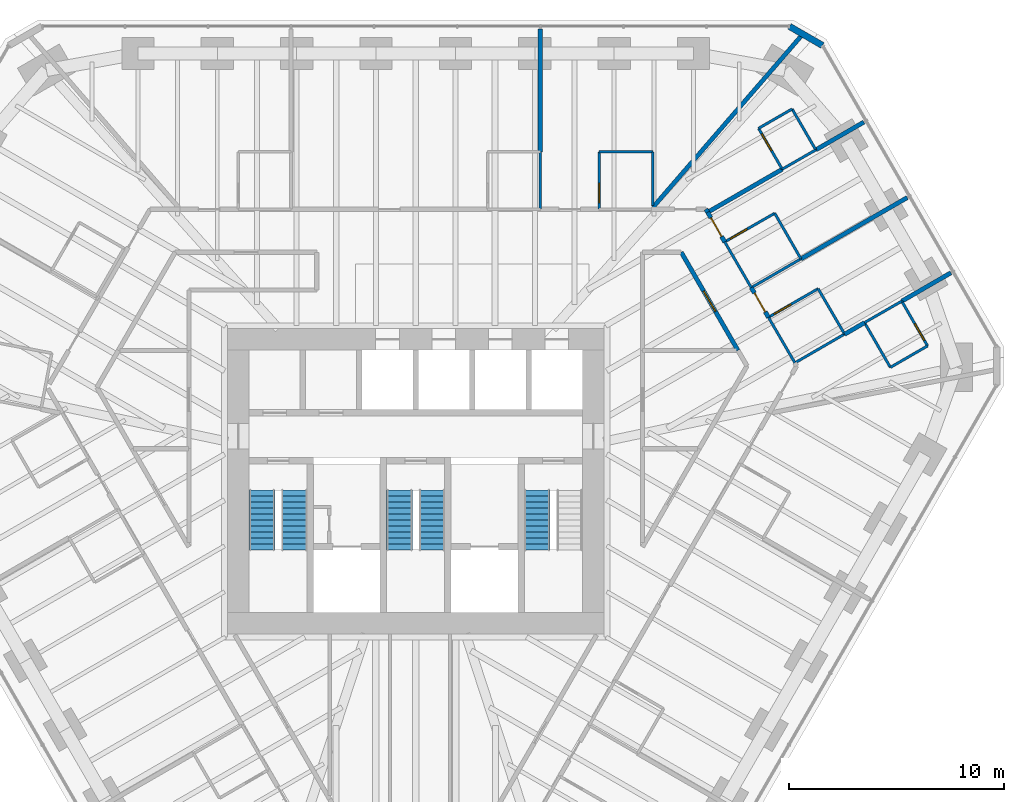
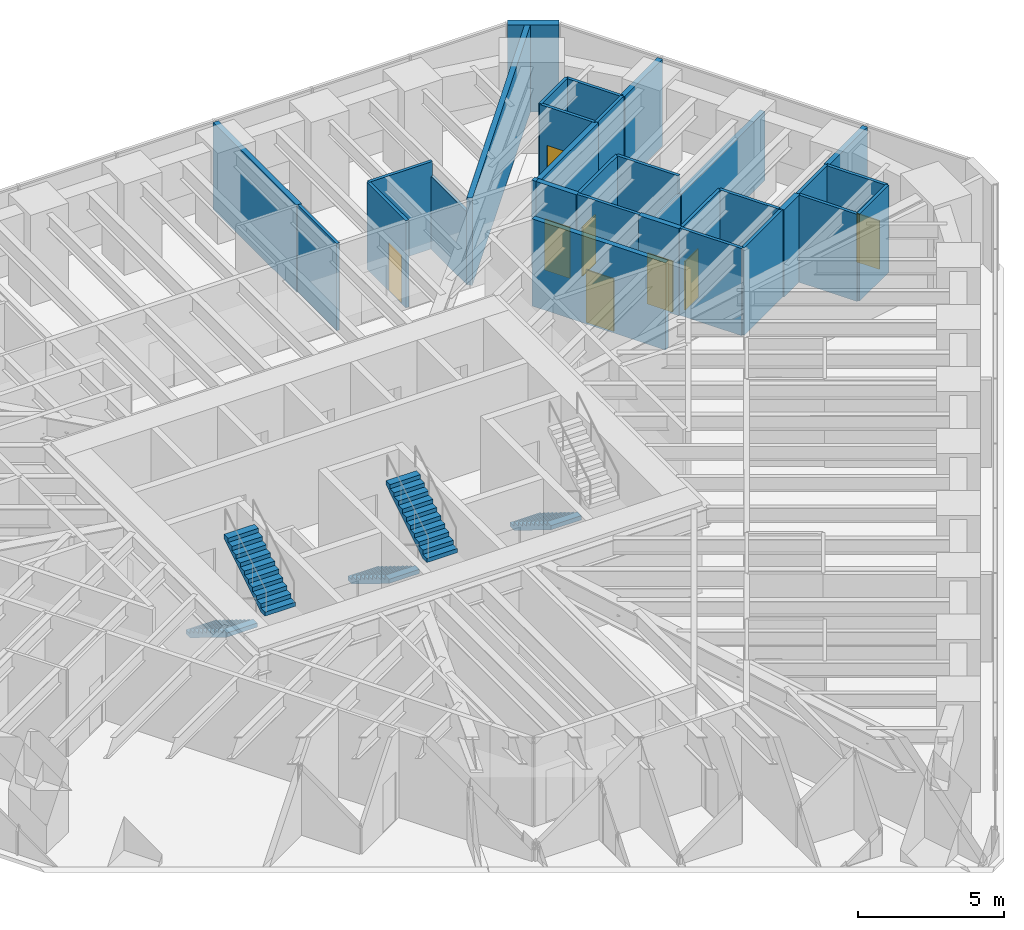
# One storey, part 15 of 17: 32 walls, 8 doors, 5 stair flights, 8 openings, 3 elements without a shape of their own.
"""IFC4 building model written with IfcOpenShell, lengths in metres."""

from ifc_helpers import new_model, si_unit, direction, frame, frame_2d, origin, place, context, subcontext, project, spatial, polyline, rectangle, outline, extrude, material, layer, layer_set, type_object, element, fill, aggregate, save


model = new_model("IFC4")

# Units and contexts
model_context = context("Model", 3, precision=1e-05, world=origin(), true_north=direction((0.0, 1.0)))
body_context = subcontext(model_context, "Body", "Model", "MODEL_VIEW")
ifc_project = project(units=[si_unit("LENGTHUNIT", "METRE"), si_unit("AREAUNIT", "SQUARE_METRE"), si_unit("VOLUMEUNIT", "CUBIC_METRE"), si_unit("PLANEANGLEUNIT", "RADIAN"), si_unit("MASSUNIT", "GRAM", prefix="KILO")], contexts=[model_context])

# Site, building, storey
site_placement = place(None, origin())
site = spatial("IfcSite", under=ifc_project, at=site_placement, CompositionType="ELEMENT")
building_placement = place(site_placement, origin())
building = spatial("IfcBuilding", under=site, at=building_placement, Name="Sandreach Pilgrim Tower", CompositionType="ELEMENT")
storey_placement = place(building_placement, frame((0.0, 0.0, 221.199951171875)))
storey = spatial("IfcBuildingStorey", under=building, at=storey_placement, Name="L55", CompositionType="ELEMENT", Elevation=221.199951171875)

# Wall
ifc_material_1 = material(Name="Moisture-resistant gypsum board on steel studs", Category="steel")
ifc_layer_1 = layer(ifc_material_1, 0.1201171875)
ifc_layer_set_1 = layer_set([ifc_layer_1], Name="Bathroom partition 120")
wall_type_1 = type_object("IfcWallType", Name="Bathroom partition 120", PredefinedType="PARTITIONING", material=ifc_layer_set_1)
wall_1_placement = place(storey_placement, frame((5.800048828125, 15.330078125, 0.0), z_axis=(0.0, 0.0, 1.0), x_axis=(0.0, -1.0, 0.0)))
element("IfcWall", 1, at=wall_1_placement, inside=storey, type_object=wall_type_1, Name="Bathroom partition L55-094", PredefinedType="PARTITIONING", context=body_context, shape_type="SweptSolid", body=[
    extrude(rectangle(XDim=2.670166015625, YDim=0.1201171875, at=frame_2d((1.3349609375, 0.0))), origin(), (0.0, 0.0, 1.0), 3.64013671875),
])

# Wall, opening, door
wall_2_placement = place(storey_placement, frame((8.530029296875, 15.330078125, 0.0), z_axis=(0.0, 0.0, 1.0), x_axis=(0.0, -1.0, 0.0)))
wall_2 = element("IfcWall", 2, at=wall_2_placement, inside=storey, type_object=wall_type_1, Name="Bathroom partition L55-104", PredefinedType="PARTITIONING", context=body_context, shape_type="SweptSolid", body=[
    extrude(rectangle(XDim=2.670166015625, YDim=0.1201171875, at=frame_2d((1.3349609375, 0.0))), origin(), (0.0, 0.0, 1.0), 3.64013671875),
])
opening_1_placement = place(wall_2_placement, frame((1.469970703125, 0.0, 0.0)))
opening_1 = element("IfcOpeningElement", 3, at=opening_1_placement, cuts=wall_2, Name="Opening D09-03B", PredefinedType="OPENING", context=body_context, shape_type="SweptSolid", body=[
    extrude(rectangle(XDim=0.89990234375, YDim=2.030029296875, at=frame_2d((0.449951171875, 1.01513671875))), frame((0.0, 0.06005859375, 0.0), z_axis=(0.0, -1.0, 0.0), x_axis=(1.0, 0.0, 0.0)), (0.0, 0.0, 1.0), 0.1201171875),
])
ifc_material_2 = material(Name="Timber door, steel frame", Category="steel")
door_type_1 = type_object("IfcDoorType", Name="Bathroom door", OperationType="SINGLE_SWING_LEFT", PredefinedType="DOOR", material=ifc_material_2)
door_1_placement = place(opening_1_placement, origin())
door_1 = element("IfcDoor", 4, at=door_1_placement, inside=storey, type_object=door_type_1, Name="Door 5503B", OperationType="SINGLE_SWING_RIGHT", OverallHeight=2.030029296875, OverallWidth=0.89990234375, PredefinedType="DOOR", context=body_context, shape_type="SweptSolid", body=[
    extrude(rectangle(XDim=0.89990234375, YDim=2.030029296875, at=frame_2d((0.449951171875, 1.01513671875))), frame((0.0, 0.02490234375, 0.0), z_axis=(0.0, -1.0, 0.0), x_axis=(1.0, 0.0, 0.0)), (0.0, 0.0, 1.0), 0.050048828125),
])
fill(opening_1, door_1)

# Walls
wall_3_placement = place(storey_placement, frame((11.030029296875, 12.830078125, 0.0), z_axis=(0.0, 0.0, 1.0), x_axis=(0.0, 1.0, 0.0)))
element("IfcWall", 5, at=wall_3_placement, inside=storey, type_object=wall_type_1, Name="Bathroom partition L55-115", PredefinedType="PARTITIONING", context=body_context, shape_type="SweptSolid", body=[
    extrude(rectangle(XDim=2.5, YDim=0.1201171875, at=frame_2d((1.25, 0.0))), origin(), (0.0, 0.0, 1.0), 3.0380859375),
])
wall_4_placement = place(storey_placement, frame((11.030029296875, 15.330078125, 0.0), z_axis=(0.0, 0.0, 1.0), x_axis=(-1.0, 0.0, 0.0)))
element("IfcWall", 6, at=wall_4_placement, inside=storey, type_object=wall_type_1, Name="Bathroom partition L55-116", PredefinedType="PARTITIONING", context=body_context, shape_type="SweptSolid", body=[
    extrude(rectangle(XDim=2.5, YDim=0.1201171875, at=frame_2d((1.25, 0.0))), origin(), (0.0, 0.0, 1.0), 3.64013671875),
])
wall_5_placement = place(storey_placement, frame((14.37548828125, 11.137451171875, 0.0), z_axis=(0.0, 0.0, 1.0), x_axis=(0.501931973027, -0.864907101632, 0.0)))
element("IfcWall", 7, at=wall_5_placement, inside=storey, type_object=wall_type_1, Name="Bathroom partition L55-126", PredefinedType="PARTITIONING", context=body_context, shape_type="SweptSolid", body=[
    extrude(rectangle(XDim=2.459716796875, YDim=0.1201171875, at=frame_2d((1.22998046875, 0.0))), origin(), (0.0, 0.0, 1.0), 3.64013671875),
])

# Wall, opening, door
wall_6_placement = place(storey_placement, frame((15.949951171875, 16.419921875, 0.0), z_axis=(0.0, 0.0, 1.0), x_axis=(0.501088872721, -0.865395829453, 0.0)))
wall_6 = element("IfcWall", 8, at=wall_6_placement, inside=storey, type_object=wall_type_1, Name="Bathroom partition L55-132", PredefinedType="PARTITIONING", context=body_context, shape_type="SweptSolid", body=[
    extrude(rectangle(XDim=2.1953125, YDim=0.1201171875, at=frame_2d((1.09765625, 0.0))), origin(), (0.0, 0.0, 1.0), 3.64013671875),
])
opening_2_placement = place(wall_6_placement, frame((0.300048828125, 0.0, 0.0)))
opening_2 = element("IfcOpeningElement", 9, at=opening_2_placement, cuts=wall_6, Name="Opening D09-04B", PredefinedType="OPENING", context=body_context, shape_type="SweptSolid", body=[
    extrude(rectangle(XDim=0.89990234375, YDim=2.030029296875, at=frame_2d((0.449951171875, 1.01513671875))), frame((0.0, 0.06005859375, 0.0), z_axis=(0.0, -1.0, 0.0), x_axis=(1.0, 0.0, 0.0)), (0.0, 0.0, 1.0), 0.1201171875),
])
door_2_placement = place(opening_2_placement, origin())
door_2 = element("IfcDoor", 10, at=door_2_placement, inside=storey, type_object=door_type_1, Name="Door 5504B", OperationType="SINGLE_SWING_LEFT", OverallHeight=2.030029296875, OverallWidth=0.89990234375, PredefinedType="DOOR", context=body_context, shape_type="SweptSolid", body=[
    extrude(rectangle(XDim=0.89990234375, YDim=2.030029296875, at=frame_2d((0.449951171875, 1.01513671875))), frame((0.0, 0.02490234375, 0.0), z_axis=(0.0, -1.0, 0.0), x_axis=(1.0, 0.0, 0.0)), (0.0, 0.0, 1.0), 0.050048828125),
])
fill(opening_2, door_2)

# Wall
wall_7_placement = place(storey_placement, frame((16.409912109375, 7.6298828125, 0.0), z_axis=(0.0, 0.0, 1.0), x_axis=(0.501856726365, -0.86495076519, 0.0)))
element("IfcWall", 11, at=wall_7_placement, inside=storey, type_object=wall_type_1, Name="Bathroom partition L55-136", PredefinedType="PARTITIONING", context=body_context, shape_type="SweptSolid", body=[
    extrude(rectangle(XDim=2.450927734375, YDim=0.1201171875, at=frame_2d((1.2255859375, 0.0))), origin(), (0.0, 0.0, 1.0), 3.64013671875),
])

# Wall, opening, door
wall_8_placement = place(storey_placement, frame((16.699951171875, 12.469970703125, 0.0), z_axis=(0.0, 0.0, 1.0), x_axis=(-0.867545659855, -0.497357545501, 0.0)))
wall_8 = element("IfcWall", 12, at=wall_8_placement, inside=storey, type_object=wall_type_1, Name="Bathroom partition L55-138", PredefinedType="PARTITIONING", context=body_context, shape_type="SweptSolid", body=[
    extrude(rectangle(XDim=2.67431640625, YDim=0.1201171875, at=frame_2d((1.337158203125, 0.0))), origin(), (0.0, 0.0, 1.0), 3.64013671875),
])
opening_3_placement = place(wall_8_placement, frame((1.47412109375, 0.0, 0.0)))
opening_3 = element("IfcOpeningElement", 13, at=opening_3_placement, cuts=wall_8, Name="Opening D09-05B", PredefinedType="OPENING", context=body_context, shape_type="SweptSolid", body=[
    extrude(rectangle(XDim=0.89990234375, YDim=2.030029296875, at=frame_2d((0.449951171875, 1.01513671875))), frame((0.0, 0.06005859375, 0.0), z_axis=(0.0, -1.0, 0.0), x_axis=(1.0, 0.0, 0.0)), (0.0, 0.0, 1.0), 0.1201171875),
])
door_3_placement = place(opening_3_placement, origin())
door_3 = element("IfcDoor", 14, at=door_3_placement, inside=storey, type_object=door_type_1, Name="Door 5505B", OperationType="SINGLE_SWING_RIGHT", OverallHeight=2.030029296875, OverallWidth=0.89990234375, PredefinedType="DOOR", context=body_context, shape_type="SweptSolid", body=[
    extrude(rectangle(XDim=0.89990234375, YDim=2.030029296875, at=frame_2d((0.449951171875, 1.01513671875))), frame((0.0, 0.02490234375, 0.0), z_axis=(0.0, -1.0, 0.0), x_axis=(1.0, 0.0, 0.0)), (0.0, 0.0, 1.0), 0.050048828125),
])
fill(opening_3, door_3)

# Walls
for number, where, z_axis, x_axis, name in (
    (15, (17.050048828125, 14.52001953125, 0.0), (0.0, 0.0, 1.0), (0.866670415019, 0.498881139883, 0.0), "Bathroom partition L55-139"),
    (16, (17.510009765625, 17.320068359375, 0.0), (0.0, 0.0, 1.0), (-0.866158505053, -0.499769390944, 0.0), "Bathroom partition L55-141"),
):
    element("IfcWall", number, at=place(storey_placement, frame(where, z_axis=z_axis, x_axis=x_axis)), inside=storey, type_object=wall_type_1, Name=name, PredefinedType="PARTITIONING", context=body_context, shape_type="SweptSolid", body=[
        extrude(rectangle(XDim=1.801025390625, YDim=0.1201171875, at=frame_2d((0.900390625, 0.0))), origin(), (0.0, 0.0, 1.0), 3.64013671875),
    ])
wall_9_placement = place(storey_placement, frame((17.639892578125, 5.510009765625, 0.0), z_axis=(0.0, 0.0, 1.0), x_axis=(0.86498992408, 0.501789229896, 0.0)))
element("IfcWall", 17, at=wall_9_placement, inside=storey, type_object=wall_type_1, Name="Bathroom partition L55-142", PredefinedType="PARTITIONING", context=body_context, shape_type="SweptSolid", body=[
    extrude(rectangle(XDim=2.670654296875, YDim=0.1201171875, at=frame_2d((1.33544921875, 0.0))), origin(), (0.0, 0.0, 1.0), 3.64013671875),
])
wall_10_placement = place(storey_placement, frame((17.919921875, 10.35009765625, 0.0), z_axis=(0.0, 0.0, 1.0), x_axis=(-0.864966903181, -0.501828911485, 0.0)))
element("IfcWall", 18, at=wall_10_placement, inside=storey, type_object=wall_type_1, Name="Bathroom partition L55-144", PredefinedType="PARTITIONING", context=body_context, shape_type="SweptSolid", body=[
    extrude(rectangle(XDim=2.67041015625, YDim=0.1201171875, at=frame_2d((1.335205078125, 0.0))), origin(), (0.0, 0.0, 1.0), 2.8779296875),
])
wall_11_placement = place(storey_placement, frame((17.919921875, 10.35009765625, 0.0), z_axis=(0.0, 0.0, 1.0), x_axis=(-0.498791783817, 0.866721844883, 0.0)))
element("IfcWall", 19, at=wall_11_placement, inside=storey, type_object=wall_type_1, Name="Bathroom partition L55-145", PredefinedType="PARTITIONING", context=body_context, shape_type="SweptSolid", body=[
    extrude(rectangle(XDim=2.44580078125, YDim=0.1201171875, at=frame_2d((1.222900390625, 0.0))), origin(), (0.0, 0.0, 1.0), 3.64013671875),
])
wall_12_placement = place(storey_placement, frame((18.610107421875, 15.419921875, 0.0), z_axis=(0.0, 0.0, 1.0), x_axis=(-0.501040653706, 0.865423747845, 0.0)))
element("IfcWall", 20, at=wall_12_placement, inside=storey, type_object=wall_type_1, Name="Bathroom partition L55-147", PredefinedType="PARTITIONING", context=body_context, shape_type="SweptSolid", body=[
    extrude(rectangle(XDim=2.195556640625, YDim=0.1201171875, at=frame_2d((1.09765625, 0.0))), origin(), (0.0, 0.0, 1.0), 3.64013671875),
])

# Wall, opening, door
wall_13_placement = place(storey_placement, frame((18.719970703125, 8.9599609375, 0.0), z_axis=(0.0, 0.0, 1.0), x_axis=(-0.866654860089, -0.498908161372, 0.0)))
wall_13 = element("IfcWall", 21, at=wall_13_placement, inside=storey, type_object=wall_type_1, Name="Bathroom partition L55-149", PredefinedType="PARTITIONING", context=body_context, shape_type="SweptSolid", body=[
    extrude(rectangle(XDim=2.66552734375, YDim=0.1201171875, at=frame_2d((1.332763671875, 0.0))), origin(), (0.0, 0.0, 1.0), 3.64013671875),
])
opening_4_placement = place(wall_13_placement, frame((1.465576171875, 0.0, 0.0)))
opening_4 = element("IfcOpeningElement", 22, at=opening_4_placement, cuts=wall_13, Name="Opening D09-06B", PredefinedType="OPENING", context=body_context, shape_type="SweptSolid", body=[
    extrude(rectangle(XDim=0.89990234375, YDim=2.030029296875, at=frame_2d((0.449951171875, 1.01513671875))), frame((0.0, 0.06005859375, 0.0), z_axis=(0.0, -1.0, 0.0), x_axis=(1.0, 0.0, 0.0)), (0.0, 0.0, 1.0), 0.1201171875),
])
door_4_placement = place(opening_4_placement, origin())
door_4 = element("IfcDoor", 23, at=door_4_placement, inside=storey, type_object=door_type_1, Name="Door 5506B", OperationType="SINGLE_SWING_RIGHT", OverallHeight=2.030029296875, OverallWidth=0.89990234375, PredefinedType="DOOR", context=body_context, shape_type="SweptSolid", body=[
    extrude(rectangle(XDim=0.89990234375, YDim=2.030029296875, at=frame_2d((0.449951171875, 1.01513671875))), frame((0.0, 0.02490234375, 0.0), z_axis=(0.0, -1.0, 0.0), x_axis=(1.0, 0.0, 0.0)), (0.0, 0.0, 1.0), 0.050048828125),
])
fill(opening_4, door_4)

# Walls
wall_14_placement = place(storey_placement, frame((19.949951171875, 6.85009765625, 0.0), z_axis=(0.0, 0.0, 1.0), x_axis=(-0.503634814725, 0.863916647251, 0.0)))
element("IfcWall", 24, at=wall_14_placement, inside=storey, type_object=wall_type_1, Name="Bathroom partition L55-150", PredefinedType="PARTITIONING", context=body_context, shape_type="SweptSolid", body=[
    extrude(rectangle(XDim=2.442138671875, YDim=0.1201171875, at=frame_2d((1.22119140625, 0.0))), origin(), (0.0, 0.0, 1.0), 3.64013671875),
])
wall_15_placement = place(storey_placement, frame((20.878173828125, 7.383056640625, 0.0), z_axis=(0.0, 0.0, 1.0), x_axis=(0.866697688948, 0.498833755847, 0.0)))
element("IfcWall", 25, at=wall_15_placement, inside=storey, type_object=wall_type_1, Name="Bathroom partition L55-151", PredefinedType="PARTITIONING", context=body_context, shape_type="SweptSolid", body=[
    extrude(rectangle(XDim=1.998291015625, YDim=0.1201171875, at=frame_2d((0.9990234375, 0.0))), origin(), (0.0, 0.0, 1.0), 3.64013671875),
])
wall_16_placement = place(storey_placement, frame((20.8798828125, 7.3798828125, 0.0), z_axis=(0.0, 0.0, 1.0), x_axis=(0.499813401482, -0.866133109688, 0.0)))
element("IfcWall", 26, at=wall_16_placement, inside=storey, type_object=wall_type_1, Name="Bathroom partition L55-153", PredefinedType="PARTITIONING", context=body_context, shape_type="SweptSolid", body=[
    extrude(rectangle(XDim=2.4013671875, YDim=0.1201171875, at=frame_2d((1.20068359375, 0.0))), origin(), (0.0, 0.0, 1.0), 3.64013671875),
])
wall_17_placement = place(storey_placement, frame((22.080078125, 5.300048828125, 0.0), z_axis=(0.0, 0.0, 1.0), x_axis=(0.865766263046, 0.50044857655, 0.0)))
element("IfcWall", 27, at=wall_17_placement, inside=storey, type_object=wall_type_1, Name="Bathroom partition L55-154", PredefinedType="PARTITIONING", context=body_context, shape_type="SweptSolid", body=[
    extrude(rectangle(XDim=1.998291015625, YDim=0.1201171875, at=frame_2d((0.9990234375, 0.0))), origin(), (0.0, 0.0, 1.0), 3.64013671875),
])

# Wall, opening, door
wall_18_placement = place(storey_placement, frame((23.81005859375, 6.300048828125, 0.0), z_axis=(0.0, 0.0, 1.0), x_axis=(-0.499737123639, 0.866177122335, 0.0)))
wall_18 = element("IfcWall", 28, at=wall_18_placement, inside=storey, type_object=wall_type_1, Name="Bathroom partition L55-156", PredefinedType="PARTITIONING", context=body_context, shape_type="SweptSolid", body=[
    extrude(rectangle(XDim=2.401123046875, YDim=0.1201171875, at=frame_2d((1.20068359375, 0.0))), origin(), (0.0, 0.0, 1.0), 3.64013671875),
])
opening_5_placement = place(wall_18_placement, frame((0.300048828125, 0.0, 0.0)))
opening_5 = element("IfcOpeningElement", 29, at=opening_5_placement, cuts=wall_18, Name="Opening D09-07B", PredefinedType="OPENING", context=body_context, shape_type="SweptSolid", body=[
    extrude(rectangle(XDim=0.89990234375, YDim=2.030029296875, at=frame_2d((0.449951171875, 1.01513671875))), frame((0.0, 0.06005859375, 0.0), z_axis=(0.0, -1.0, 0.0), x_axis=(1.0, 0.0, 0.0)), (0.0, 0.0, 1.0), 0.1201171875),
])
door_5_placement = place(opening_5_placement, origin())
door_5 = element("IfcDoor", 30, at=door_5_placement, inside=storey, type_object=door_type_1, Name="Door 5507B", OperationType="SINGLE_SWING_LEFT", OverallHeight=2.030029296875, OverallWidth=0.89990234375, PredefinedType="DOOR", context=body_context, shape_type="SweptSolid", body=[
    extrude(rectangle(XDim=0.89990234375, YDim=2.030029296875, at=frame_2d((0.449951171875, 1.01513671875))), frame((0.0, 0.02490234375, 0.0), z_axis=(0.0, -1.0, 0.0), x_axis=(1.0, 0.0, 0.0)), (0.0, 0.0, 1.0), 0.050048828125),
])
fill(opening_5, door_5)

ifc_material_3 = material(Name="Gypsum board on steel studs, two layers each side", Category="steel")
ifc_layer_2 = layer(ifc_material_3, 0.199951171875)
ifc_layer_set_2 = layer_set([ifc_layer_2], Name="Corridor wall 200")
wall_type_2 = type_object("IfcWallType", Name="Corridor wall 200", PredefinedType="PARTITIONING", material=ifc_layer_set_2)
wall_19_placement = place(storey_placement, frame((12.35009765625, 10.659912109375, 0.0), z_axis=(0.0, 0.0, 1.0), x_axis=(0.500213626659, -0.86590203124, 0.0)))
wall_19 = element("IfcWall", 31, at=wall_19_placement, inside=storey, type_object=wall_type_2, Name="Corridor wall L55-119", PredefinedType="PARTITIONING", context=body_context, shape_type="SweptSolid", body=[
    extrude(rectangle(XDim=5.277587890625, YDim=0.199951171875, at=frame_2d((2.638671875, 0.0))), origin(), (0.0, 0.0, 1.0), 3.64013671875),
])
opening_6_placement = place(wall_19_placement, frame((2.0888671875, 0.0, 0.0)))
opening_6 = element("IfcOpeningElement", 32, at=opening_6_placement, cuts=wall_19, Name="Opening D11H-M05", PredefinedType="OPENING", context=body_context, shape_type="SweptSolid", body=[
    extrude(rectangle(XDim=1.10009765625, YDim=2.199951171875, at=frame_2d((0.550048828125, 1.10009765625))), frame((0.0, 0.10009765625, 0.0), z_axis=(0.0, -1.0, 0.0), x_axis=(1.0, 0.0, 0.0)), (0.0, 0.0, 1.0), 0.199951171875),
])
ifc_material_4 = material(Name="Steel door and frame", Category="steel")
door_type_2 = type_object("IfcDoorType", Name="Back of house door", OperationType="SINGLE_SWING_LEFT", PredefinedType="DOOR", material=ifc_material_4)
door_6_placement = place(opening_6_placement, origin())
door_6 = element("IfcDoor", 33, at=door_6_placement, inside=storey, type_object=door_type_2, Name="Door 55M05", OperationType="SINGLE_SWING_LEFT", OverallHeight=2.199951171875, OverallWidth=1.10009765625, PredefinedType="DOOR", context=body_context, shape_type="SweptSolid", body=[
    extrude(rectangle(XDim=1.10009765625, YDim=2.199951171875, at=frame_2d((0.550048828125, 1.10009765625))), frame((0.0, 0.02490234375, 0.0), z_axis=(0.0, -1.0, 0.0), x_axis=(1.0, 0.0, 0.0)), (0.0, 0.0, 1.0), 0.050048828125),
])
fill(opening_6, door_6)

# Wall
wall_20_placement = place(storey_placement, frame((13.5, 12.659912109375, 0.0), z_axis=(0.0, 0.0, 1.0), x_axis=(0.498194987799, -0.867065023013, 0.0)))
element("IfcWall", 34, at=wall_20_placement, inside=storey, type_object=wall_type_2, Name="Corridor wall L55-122", PredefinedType="PARTITIONING", context=body_context, shape_type="SweptSolid", body=[
    extrude(rectangle(XDim=0.166015625, YDim=0.199951171875, at=frame_2d((0.0830078125, 0.0))), origin(), (0.0, 0.0, 1.0), 3.64013671875),
])

# Wall, opening, door
wall_21_placement = place(storey_placement, frame((13.582763671875, 12.515869140625, 0.0), z_axis=(0.0, 0.0, 1.0), x_axis=(0.498534585837, -0.866869809559, 0.0)))
wall_21 = element("IfcWall", 35, at=wall_21_placement, inside=storey, type_object=wall_type_2, Name="Corridor wall L55-123", PredefinedType="PARTITIONING", context=body_context, shape_type="SweptSolid", body=[
    extrude(rectangle(XDim=1.590087890625, YDim=0.199951171875, at=frame_2d((0.794921875, 0.0))), origin(), (0.0, 0.0, 1.0), 3.64013671875),
])
opening_7_placement = place(wall_21_placement, frame((0.295166015625, 0.0, 0.0)))
opening_7 = element("IfcOpeningElement", 36, at=opening_7_placement, cuts=wall_21, Name="Opening D10-05", PredefinedType="OPENING", context=body_context, shape_type="SweptSolid", body=[
    extrude(rectangle(XDim=1.0, YDim=2.1298828125, at=frame_2d((0.5, 1.06494140625))), frame((0.0, 0.10009765625, 0.0), z_axis=(0.0, -1.0, 0.0), x_axis=(1.0, 0.0, 0.0)), (0.0, 0.0, 1.0), 0.199951171875),
])
ifc_material_5 = material(Name="Steel door and frame", Category="steel")
door_type_3 = type_object("IfcDoorType", Name="Guest room entry door", OperationType="SINGLE_SWING_LEFT", PredefinedType="DOOR", material=ifc_material_5)
door_7_placement = place(opening_7_placement, origin())
door_7 = element("IfcDoor", 37, at=door_7_placement, inside=storey, type_object=door_type_3, Name="Door 5505", OperationType="SINGLE_SWING_LEFT", OverallHeight=2.1298828125, OverallWidth=1.0, PredefinedType="DOOR", context=body_context, shape_type="SweptSolid", body=[
    extrude(rectangle(XDim=1.0, YDim=2.1298828125, at=frame_2d((0.5, 1.06494140625))), frame((0.0, 0.02490234375, 0.0), z_axis=(0.0, -1.0, 0.0), x_axis=(1.0, 0.0, 0.0)), (0.0, 0.0, 1.0), 0.050048828125),
])
fill(opening_7, door_7)

wall_22_placement = place(storey_placement, frame((15.610107421875, 9.010009765625, 0.0), z_axis=(0.0, 0.0, 1.0), x_axis=(0.5014706583, -0.865174652232, 0.0)))
wall_22 = element("IfcWall", 38, at=wall_22_placement, inside=storey, type_object=wall_type_2, Name="Corridor wall L55-131", PredefinedType="PARTITIONING", context=body_context, shape_type="SweptSolid", body=[
    extrude(rectangle(XDim=1.594970703125, YDim=0.199951171875, at=frame_2d((0.79736328125, 0.0))), origin(), (0.0, 0.0, 1.0), 3.64013671875),
])
opening_8_placement = place(wall_22_placement, frame((0.297607421875, 0.0, 0.0)))
opening_8 = element("IfcOpeningElement", 39, at=opening_8_placement, cuts=wall_22, Name="Opening D10-06", PredefinedType="OPENING", context=body_context, shape_type="SweptSolid", body=[
    extrude(rectangle(XDim=1.0, YDim=2.1298828125, at=frame_2d((0.5, 1.06494140625))), frame((0.0, 0.10009765625, 0.0), z_axis=(0.0, -1.0, 0.0), x_axis=(1.0, 0.0, 0.0)), (0.0, 0.0, 1.0), 0.199951171875),
])
door_8_placement = place(opening_8_placement, origin())
door_8 = element("IfcDoor", 40, at=door_8_placement, inside=storey, type_object=door_type_3, Name="Door 5506", OperationType="SINGLE_SWING_LEFT", OverallHeight=2.1298828125, OverallWidth=1.0, PredefinedType="DOOR", context=body_context, shape_type="SweptSolid", body=[
    extrude(rectangle(XDim=1.0, YDim=2.1298828125, at=frame_2d((0.5, 1.06494140625))), frame((0.0, 0.02490234375, 0.0), z_axis=(0.0, -1.0, 0.0), x_axis=(1.0, 0.0, 0.0)), (0.0, 0.0, 1.0), 0.050048828125),
])
fill(opening_8, door_8)

# Walls
ifc_material_6 = material(Name="Double steel stud acoustic wall, gypsum board", Category="steel")
ifc_layer_3 = layer(ifc_material_6, 0.199951171875)
ifc_layer_set_3 = layer_set([ifc_layer_3], Name="Party wall 200")
wall_type_3 = type_object("IfcWallType", Name="Party wall 200", PredefinedType="PARTITIONING", material=ifc_layer_set_3)
wall_23_placement = place(storey_placement, frame((5.800048828125, 21.0400390625, 0.0), z_axis=(0.0, 0.0, 1.0), x_axis=(0.0, -1.0, 0.0)))
element("IfcWall", 41, at=wall_23_placement, inside=storey, type_object=wall_type_3, Name="Party wall L55-095", PredefinedType="PARTITIONING", context=body_context, shape_type="SweptSolid", body=[
    extrude(rectangle(XDim=5.7099609375, YDim=0.199951171875, at=frame_2d((2.85498046875, 0.0))), origin(), (0.0, 0.0, 1.0), 3.64013671875),
])
wall_24_placement = place(storey_placement, frame((11.039794921875, 12.751220703125, 0.0), z_axis=(0.0, 0.0, 1.0), x_axis=(0.654384042683, 0.756162366613, 0.0)))
element("IfcWall", 42, at=wall_24_placement, inside=storey, type_object=wall_type_3, Name="Party wall L55-117", PredefinedType="PARTITIONING", context=body_context, shape_type="SweptSolid", body=[
    extrude(rectangle(XDim=10.667236328125, YDim=0.199951171875, at=frame_2d((5.33349609375, 0.0))), origin(), (0.0, 0.0, 1.0), 3.64013671875),
])
wall_25_placement = place(storey_placement, frame((13.59423828125, 12.5224609375, 0.0), z_axis=(0.0, 0.0, 1.0), x_axis=(0.866085778049, 0.499895414124, 0.0)))
element("IfcWall", 43, at=wall_25_placement, inside=storey, type_object=wall_type_3, Name="Party wall L55-124", PredefinedType="PARTITIONING", context=body_context, shape_type="SweptSolid", body=[
    extrude(rectangle(XDim=3.991455078125, YDim=0.199951171875, at=frame_2d((1.99560546875, 0.0))), origin(), (0.0, 0.0, 1.0), 3.64013671875),
])
wall_26_placement = place(storey_placement, frame((17.922607421875, 10.345458984375, 0.0), z_axis=(0.0, 0.0, 1.0), x_axis=(0.865991848905, 0.500058114253, 0.0)))
element("IfcWall", 44, at=wall_26_placement, inside=storey, type_object=wall_type_3, Name="Party wall L55-146", PredefinedType="PARTITIONING", context=body_context, shape_type="SweptSolid", body=[
    extrude(rectangle(XDim=5.708251953125, YDim=0.199951171875, at=frame_2d((2.85400390625, 0.0))), origin(), (0.0, 0.0, 1.0), 2.8779296875),
])
wall_27_placement = place(storey_placement, frame((18.61083984375, 15.41845703125, 0.0), z_axis=(0.0, 0.0, 1.0), x_axis=(0.865870535136, 0.500268144481, 0.0)))
element("IfcWall", 45, at=wall_27_placement, inside=storey, type_object=wall_type_3, Name="Party wall L55-148", PredefinedType="PARTITIONING", context=body_context, shape_type="SweptSolid", body=[
    extrude(rectangle(XDim=2.58154296875, YDim=0.199951171875, at=frame_2d((1.290771484375, 0.0))), origin(), (0.0, 0.0, 1.0), 3.64013671875),
])
wall_28_placement = place(storey_placement, frame((20.8798828125, 7.3798828125, 0.0), z_axis=(0.0, 0.0, 1.0), x_axis=(-0.864855730486, -0.502020483094, 0.0)))
element("IfcWall", 46, at=wall_28_placement, inside=storey, type_object=wall_type_3, Name="Party wall L55-152", PredefinedType="PARTITIONING", context=body_context, shape_type="SweptSolid", body=[
    extrude(rectangle(XDim=1.0751953125, YDim=0.199951171875, at=frame_2d((0.53759765625, 0.0))), origin(), (0.0, 0.0, 1.0), 3.64013671875),
])
wall_29_placement = place(storey_placement, frame((22.610107421875, 8.3798828125, 0.0), z_axis=(0.0, 0.0, 1.0), x_axis=(0.865974560031, 0.500088053625, 0.0)))
element("IfcWall", 47, at=wall_29_placement, inside=storey, type_object=wall_type_3, Name="Party wall L55-155", PredefinedType="PARTITIONING", context=body_context, shape_type="SweptSolid", body=[
    extrude(rectangle(XDim=2.6396484375, YDim=0.199951171875, at=frame_2d((1.31982421875, 0.0))), origin(), (0.0, 0.0, 1.0), 3.64013671875),
])
ifc_material_7 = material(Name="Terracotta rainscreen on concrete", Category="masonry")
ifc_layer_4 = layer(ifc_material_7, 0.300048828125)
ifc_layer_set_4 = layer_set([ifc_layer_4], Name="Terracotta chamfer pier")
wall_type_4 = type_object("IfcWallType", Name="Terracotta chamfer pier", PredefinedType="SOLIDWALL", material=ifc_layer_set_4)
wall_30_placement = place(storey_placement, frame((17.389892578125, 21.16015625, 0.0), z_axis=(0.0, 0.0, 1.0), x_axis=(0.866036293601, -0.499981137809, 0.0)))
element("IfcWall", 48, at=wall_30_placement, inside=storey, type_object=wall_type_4, Name="Chamfer pier L55 N", PredefinedType="SOLIDWALL", context=body_context, shape_type="SweptSolid", body=[
    extrude(rectangle(XDim=1.77001953125, YDim=0.300048828125, at=frame_2d((0.885009765625, 0.0))), origin(), (0.0, 0.0, 1.0), 3.64013671875),
])

# Stair, stair flights
ifc_material_8 = material(Name="Concrete 8000 psi", Category="concrete")
stair_type = type_object("IfcStairType", Name="Core exit stair", PredefinedType="HALF_TURN_STAIR", material=ifc_material_8)
stair_1_placement = place(storey_placement, origin())
stair_1 = element("IfcStair", 49, at=stair_1_placement, inside=storey, type_object=stair_type, Name="Exit stair ST1 L55", PredefinedType="HALF_TURN_STAIR")
ifc_material_9 = material(Name="Concrete 8000 psi", Category="concrete")
stair_flight_type = type_object("IfcStairFlightType", Name="Core stair flight 1200", PredefinedType="STRAIGHT", material=ifc_material_9)
stair_flight_1_placement = place(storey_placement, frame((-7.14990234375, -0.39990234375, 0.0), z_axis=(0.0, 0.0, 1.0), x_axis=(0.0, -1.0, 0.0)))
stair_flight_1 = element("IfcStairFlight", 50, at=stair_flight_1_placement, type_object=stair_flight_type, Name="ST1 flight 1", NumberOfRisers=11, NumberOfTreads=10, PredefinedType="STRAIGHT", RiserHeight=0.172727273, TreadLength=0.28, context=body_context, shape_type="SweptSolid", body=[
    extrude(outline(polyline([(0.0, 0.0), (0.0, 0.172607421875), (0.280029296875, 0.172607421875), (0.280029296875, 0.345458984375), (0.56005859375, 0.345458984375), (0.56005859375, 0.51806640625), (0.840087890625, 0.51806640625), (0.840087890625, 0.69091796875), (1.1201171875, 0.69091796875), (1.1201171875, 0.863525390625), (1.39990234375, 0.863525390625), (1.39990234375, 1.036376953125), (1.679931640625, 1.036376953125), (1.679931640625, 1.208984375), (1.9599609375, 1.208984375), (1.9599609375, 1.3818359375), (2.239990234375, 1.3818359375), (2.239990234375, 1.554443359375), (2.52001953125, 1.554443359375), (2.52001953125, 1.727294921875), (2.800048828125, 1.727294921875), (2.800048828125, 1.89990234375), (2.800048828125, 1.551025390625), (0.285400390625, 0.0), (0.0, 0.0)])), frame((0.0, 0.60009765625, 0.0), z_axis=(0.0, -1.0, 0.0), x_axis=(1.0, 0.0, 0.0)), (0.0, 0.0, 1.0), 1.199951171875),
])
stair_flight_2_placement = place(storey_placement, frame((-5.64990234375, -3.199951171875, 1.900146484375), z_axis=(0.0, 0.0, 1.0), x_axis=(0.0, 1.0, 0.0)))
stair_flight_2 = element("IfcStairFlight", 51, at=stair_flight_2_placement, type_object=stair_flight_type, Name="ST1 flight 2", NumberOfRisers=11, NumberOfTreads=10, PredefinedType="STRAIGHT", RiserHeight=0.172727273, TreadLength=0.28, context=body_context, shape_type="SweptSolid", body=[
    extrude(outline(polyline([(0.0, 0.0), (0.0, 0.172607421875), (0.280029296875, 0.172607421875), (0.280029296875, 0.345458984375), (0.56005859375, 0.345458984375), (0.56005859375, 0.51806640625), (0.840087890625, 0.51806640625), (0.840087890625, 0.69091796875), (1.1201171875, 0.69091796875), (1.1201171875, 0.863525390625), (1.39990234375, 0.863525390625), (1.39990234375, 1.036376953125), (1.679931640625, 1.036376953125), (1.679931640625, 1.208984375), (1.9599609375, 1.208984375), (1.9599609375, 1.3818359375), (2.239990234375, 1.3818359375), (2.239990234375, 1.554443359375), (2.52001953125, 1.554443359375), (2.52001953125, 1.727294921875), (2.800048828125, 1.727294921875), (2.800048828125, 1.89990234375), (2.800048828125, 1.551025390625), (0.285400390625, 0.0), (0.0, 0.0)])), frame((0.0, 0.60009765625, 0.0), z_axis=(0.0, -1.0, 0.0), x_axis=(1.0, 0.0, 0.0)), (0.0, 0.0, 1.0), 1.199951171875),
])
aggregate(stair_1, [stair_flight_1, stair_flight_2])

stair_2_placement = place(storey_placement, origin())
stair_2 = element("IfcStair", 52, at=stair_2_placement, inside=storey, type_object=stair_type, Name="Exit stair ST3 L55", PredefinedType="HALF_TURN_STAIR")
stair_flight_3_placement = place(storey_placement, frame((-0.75, -0.39990234375, 0.0), z_axis=(0.0, 0.0, 1.0), x_axis=(0.0, -1.0, 0.0)))
stair_flight_3 = element("IfcStairFlight", 53, at=stair_flight_3_placement, type_object=stair_flight_type, Name="ST3 flight 1", NumberOfRisers=11, NumberOfTreads=10, PredefinedType="STRAIGHT", RiserHeight=0.172727273, TreadLength=0.28, context=body_context, shape_type="SweptSolid", body=[
    extrude(outline(polyline([(0.0, 0.0), (0.0, 0.172607421875), (0.280029296875, 0.172607421875), (0.280029296875, 0.345458984375), (0.56005859375, 0.345458984375), (0.56005859375, 0.51806640625), (0.840087890625, 0.51806640625), (0.840087890625, 0.69091796875), (1.1201171875, 0.69091796875), (1.1201171875, 0.863525390625), (1.39990234375, 0.863525390625), (1.39990234375, 1.036376953125), (1.679931640625, 1.036376953125), (1.679931640625, 1.208984375), (1.9599609375, 1.208984375), (1.9599609375, 1.3818359375), (2.239990234375, 1.3818359375), (2.239990234375, 1.554443359375), (2.52001953125, 1.554443359375), (2.52001953125, 1.727294921875), (2.800048828125, 1.727294921875), (2.800048828125, 1.89990234375), (2.800048828125, 1.551025390625), (0.285400390625, 0.0), (0.0, 0.0)])), frame((0.0, 0.60009765625, 0.0), z_axis=(0.0, -1.0, 0.0), x_axis=(1.0, 0.0, 0.0)), (0.0, 0.0, 1.0), 1.199951171875),
])
stair_flight_4_placement = place(storey_placement, frame((0.75, -3.199951171875, 1.900146484375), z_axis=(0.0, 0.0, 1.0), x_axis=(0.0, 1.0, 0.0)))
stair_flight_4 = element("IfcStairFlight", 54, at=stair_flight_4_placement, type_object=stair_flight_type, Name="ST3 flight 2", NumberOfRisers=11, NumberOfTreads=10, PredefinedType="STRAIGHT", RiserHeight=0.172727273, TreadLength=0.28, context=body_context, shape_type="SweptSolid", body=[
    extrude(outline(polyline([(0.0, 0.0), (0.0, 0.172607421875), (0.280029296875, 0.172607421875), (0.280029296875, 0.345458984375), (0.56005859375, 0.345458984375), (0.56005859375, 0.51806640625), (0.840087890625, 0.51806640625), (0.840087890625, 0.69091796875), (1.1201171875, 0.69091796875), (1.1201171875, 0.863525390625), (1.39990234375, 0.863525390625), (1.39990234375, 1.036376953125), (1.679931640625, 1.036376953125), (1.679931640625, 1.208984375), (1.9599609375, 1.208984375), (1.9599609375, 1.3818359375), (2.239990234375, 1.3818359375), (2.239990234375, 1.554443359375), (2.52001953125, 1.554443359375), (2.52001953125, 1.727294921875), (2.800048828125, 1.727294921875), (2.800048828125, 1.89990234375), (2.800048828125, 1.551025390625), (0.285400390625, 0.0), (0.0, 0.0)])), frame((0.0, 0.60009765625, 0.0), z_axis=(0.0, -1.0, 0.0), x_axis=(1.0, 0.0, 0.0)), (0.0, 0.0, 1.0), 1.199951171875),
])
aggregate(stair_2, [stair_flight_3, stair_flight_4])

# Stair, stair flight
stair_3_placement = place(storey_placement, origin())
stair_3 = element("IfcStair", 55, at=stair_3_placement, inside=storey, type_object=stair_type, Name="Exit stair ST2 L55", PredefinedType="HALF_TURN_STAIR")
stair_flight_5_placement = place(storey_placement, frame((5.64990234375, -0.39990234375, 0.0), z_axis=(0.0, 0.0, 1.0), x_axis=(0.0, -1.0, 0.0)))
stair_flight_5 = element("IfcStairFlight", 56, at=stair_flight_5_placement, type_object=stair_flight_type, Name="ST2 flight 1", NumberOfRisers=11, NumberOfTreads=10, PredefinedType="STRAIGHT", RiserHeight=0.172727273, TreadLength=0.28, context=body_context, shape_type="SweptSolid", body=[
    extrude(outline(polyline([(0.0, 0.0), (0.0, 0.172607421875), (0.280029296875, 0.172607421875), (0.280029296875, 0.345458984375), (0.56005859375, 0.345458984375), (0.56005859375, 0.51806640625), (0.840087890625, 0.51806640625), (0.840087890625, 0.69091796875), (1.1201171875, 0.69091796875), (1.1201171875, 0.863525390625), (1.39990234375, 0.863525390625), (1.39990234375, 1.036376953125), (1.679931640625, 1.036376953125), (1.679931640625, 1.208984375), (1.9599609375, 1.208984375), (1.9599609375, 1.3818359375), (2.239990234375, 1.3818359375), (2.239990234375, 1.554443359375), (2.52001953125, 1.554443359375), (2.52001953125, 1.727294921875), (2.800048828125, 1.727294921875), (2.800048828125, 1.89990234375), (2.800048828125, 1.551025390625), (0.285400390625, 0.0), (0.0, 0.0)])), frame((0.0, 0.60009765625, 0.0), z_axis=(0.0, -1.0, 0.0), x_axis=(1.0, 0.0, 0.0)), (0.0, 0.0, 1.0), 1.199951171875),
])
aggregate(stair_3, [stair_flight_5])

save(model, "model.ifc")
